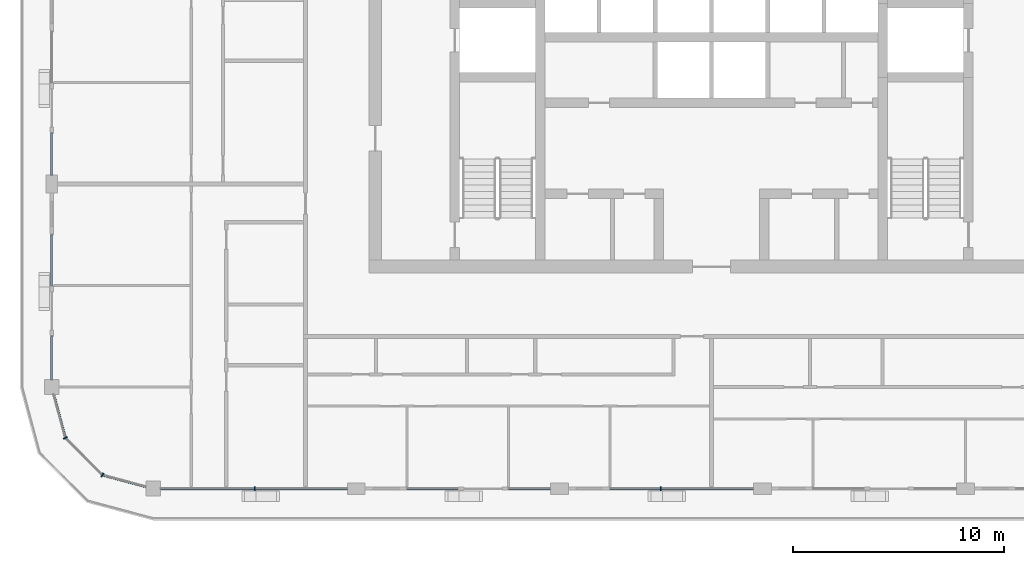
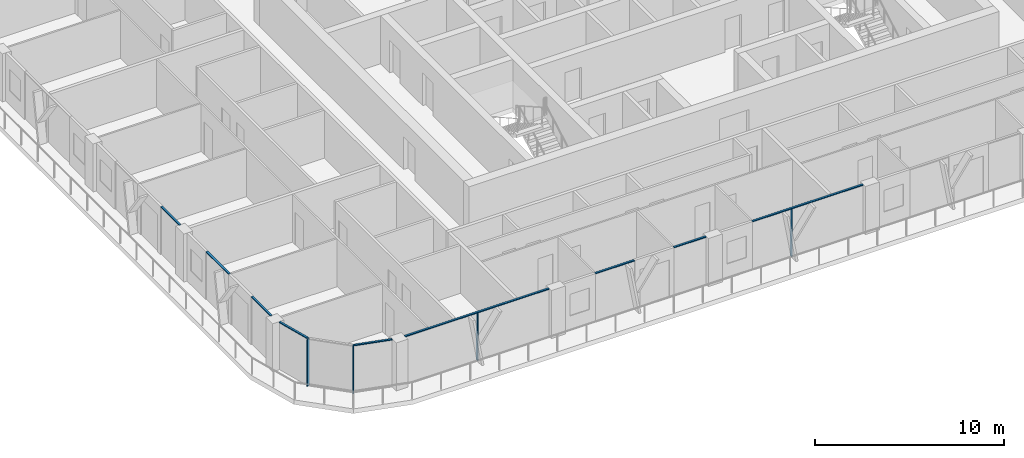
# One storey, part 2 of 22: 13 members, 6 elements without a shape of their own.
"""IFC4 building model written with IfcOpenShell, lengths in metres."""

from ifc_helpers import new_model, si_unit, direction, frame, origin, origin_2d, place, context, subcontext, project, spatial, rectangle, extrude, material, layer, layer_set, material_profile, profile_set, type_object, element, aggregate, save


model = new_model("IFC4")

# Units and contexts
model_context = context("Model", 3, precision=1e-05, world=origin(), true_north=direction((0.0, 1.0)))
body_context = subcontext(model_context, "Body", "Model", "MODEL_VIEW")
ifc_project = project(units=[si_unit("LENGTHUNIT", "METRE"), si_unit("AREAUNIT", "SQUARE_METRE"), si_unit("VOLUMEUNIT", "CUBIC_METRE"), si_unit("PLANEANGLEUNIT", "RADIAN"), si_unit("MASSUNIT", "GRAM", prefix="KILO")], contexts=[model_context])

# Site, building, storey
site_placement = place(None, origin())
site = spatial("IfcSite", under=ifc_project, at=site_placement, CompositionType="ELEMENT")
building_placement = place(site_placement, origin())
building = spatial("IfcBuilding", under=site, at=building_placement, Name="Madar Terraces", CompositionType="ELEMENT")
storey_placement = place(building_placement, frame((0.0, 0.0, 259.699951171875)))
storey = spatial("IfcBuildingStorey", under=building, at=storey_placement, Name="L68", CompositionType="ELEMENT", Elevation=259.699951171875)

# Curtain wall, member
ifc_material_1 = material(Name="Glass, ceramic frit dark grey, with black aluminium frame", Category="aluminium")
ifc_layer = layer(ifc_material_1, 0.199951171875)
ifc_layer_set = layer_set([ifc_layer], Name="Facade curtain wall, fritted glass")
curtain_wall_type = type_object("IfcCurtainWallType", Name="Facade curtain wall, fritted glass", PredefinedType="NOTDEFINED", material=ifc_layer_set)
curtain_wall_1_placement = place(storey_placement, origin())
curtain_wall_1 = element("IfcCurtainWall", 1, at=curtain_wall_1_placement, inside=storey, type_object=curtain_wall_type, Name="Outer skin curtain wall south bay 1", PredefinedType="NOTDEFINED")
ifc_material_2 = material(Name="Aluminium, black anodised", Category="aluminium")
ifc_material_profile_1 = material_profile(ifc_material_2, rectangle(XDim=0.199951171875, YDim=0.06005859375, at=origin_2d()), Name="Facade mullion 60x200")
ifc_profile_set_1 = profile_set([ifc_material_profile_1], Name="Aluminium, black anodised")
member_type_1 = type_object("IfcMemberType", Name="Facade mullion 60x200", PredefinedType="MULLION", material=ifc_profile_set_1)
member_1_placement = place(storey_placement, frame((9.60009765625, 4.800048828125, 0.0), z_axis=(0.0, 0.0, 1.0), x_axis=(0.0, 1.0, 0.0)))
member_1 = element("IfcMember", 2, at=member_1_placement, type_object=member_type_1, Name="Mullion 1", PredefinedType="MULLION", context=body_context, shape_type="SweptSolid", body=[
    extrude(rectangle(XDim=0.199951171875, YDim=0.06005859375, at=origin_2d()), origin(), (0.0, 0.0, 1.0), 3.0400390625),
])

curtain_wall_2_placement = place(storey_placement, origin())
curtain_wall_2 = element("IfcCurtainWall", 3, at=curtain_wall_2_placement, inside=storey, type_object=curtain_wall_type, Name="Outer skin curtain wall south bay 3", PredefinedType="NOTDEFINED")
member_2_placement = place(storey_placement, frame((28.800048828125, 4.800048828125, 0.0), z_axis=(0.0, 0.0, 1.0), x_axis=(0.0, 1.0, 0.0)))
member_2 = element("IfcMember", 4, at=member_2_placement, type_object=member_type_1, Name="Mullion 1", PredefinedType="MULLION", context=body_context, shape_type="SweptSolid", body=[
    extrude(rectangle(XDim=0.199951171875, YDim=0.06005859375, at=origin_2d()), origin(), (0.0, 0.0, 1.0), 3.0400390625),
])

# Curtain wall, members
curtain_wall_3_placement = place(storey_placement, origin())
curtain_wall_3 = element("IfcCurtainWall", 5, at=curtain_wall_3_placement, inside=storey, type_object=curtain_wall_type, Name="Outer skin curtain wall south-west corner", PredefinedType="NOTDEFINED")
member_3_placement = place(storey_placement, frame((0.64306640625, 7.199951171875, 0.0), z_axis=(0.0, 0.0, 1.0), x_axis=(0.866025409797, 0.499999989586, 0.0)))
member_3 = element("IfcMember", 6, at=member_3_placement, type_object=member_type_1, Name="Mullion 1", PredefinedType="MULLION", context=body_context, shape_type="SweptSolid", body=[
    extrude(rectangle(XDim=0.199951171875, YDim=0.06005859375, at=origin_2d()), origin(), (0.0, 0.0, 1.0), 3.0400390625),
])
member_4_placement = place(storey_placement, frame((2.39990234375, 5.443115234375, 0.0), z_axis=(0.0, 0.0, 1.0), x_axis=(0.499999989586, 0.866025409797, 0.0)))
member_4 = element("IfcMember", 7, at=member_4_placement, type_object=member_type_1, Name="Mullion 2", PredefinedType="MULLION", context=body_context, shape_type="SweptSolid", body=[
    extrude(rectangle(XDim=0.199951171875, YDim=0.06005859375, at=origin_2d()), origin(), (0.0, 0.0, 1.0), 3.0400390625),
])

# Member
ifc_material_3 = material(Name="Aluminium, black anodised", Category="aluminium")
ifc_material_profile_2 = material_profile(ifc_material_3, rectangle(XDim=0.1201171875, YDim=0.06005859375, at=origin_2d()), Name="Facade transom 60x120")
ifc_profile_set_2 = profile_set([ifc_material_profile_2], Name="Aluminium, black anodised")
member_type_2 = type_object("IfcMemberType", Name="Facade transom 60x120", PredefinedType="USERDEFINED", material=ifc_profile_set_2)
member_5_placement = place(storey_placement, frame((5.14990234375, 4.800048828125, 3.070068359375), z_axis=(1.0, 0.0, 0.0), x_axis=(0.0, 1.0, 0.0)))
member_5 = element("IfcMember", 8, at=member_5_placement, type_object=member_type_2, Name="Transom 1", ObjectType="TRANSOM", PredefinedType="USERDEFINED", context=body_context, shape_type="SweptSolid", body=[
    extrude(rectangle(XDim=0.1201171875, YDim=0.06005859375, at=origin_2d()), origin(), (0.0, 0.0, 1.0), 8.8251953125),
])

aggregate(curtain_wall_1, [member_1, member_5])

# Curtain wall, members
curtain_wall_4_placement = place(storey_placement, origin())
curtain_wall_4 = element("IfcCurtainWall", 9, at=curtain_wall_4_placement, inside=storey, type_object=curtain_wall_type, Name="Outer skin curtain wall south bay 2", PredefinedType="NOTDEFINED")
member_6_placement = place(storey_placement, frame((16.800048828125, 4.800048828125, 3.070068359375), z_axis=(1.0, 0.0, 0.0), x_axis=(0.0, 1.0, 0.0)))
member_6 = element("IfcMember", 10, at=member_6_placement, type_object=member_type_2, Name="Transom 1", ObjectType="TRANSOM", PredefinedType="USERDEFINED", context=body_context, shape_type="SweptSolid", body=[
    extrude(rectangle(XDim=0.1201171875, YDim=0.06005859375, at=origin_2d()), origin(), (0.0, 0.0, 1.0), 2.39990234375),
])
member_7_placement = place(storey_placement, frame((21.60009765625, 4.800048828125, 3.070068359375), z_axis=(1.0, 0.0, 0.0), x_axis=(0.0, 1.0, 0.0)))
member_7 = element("IfcMember", 11, at=member_7_placement, type_object=member_type_2, Name="Transom 2", ObjectType="TRANSOM", PredefinedType="USERDEFINED", context=body_context, shape_type="SweptSolid", body=[
    extrude(rectangle(XDim=0.1201171875, YDim=0.06005859375, at=origin_2d()), origin(), (0.0, 0.0, 1.0), 1.974853515625),
])
aggregate(curtain_wall_4, [member_6, member_7])

# Member
member_8_placement = place(storey_placement, frame((26.39990234375, 4.800048828125, 3.070068359375), z_axis=(1.0, 0.0, 0.0), x_axis=(0.0, 1.0, 0.0)))
member_8 = element("IfcMember", 12, at=member_8_placement, type_object=member_type_2, Name="Transom 1", ObjectType="TRANSOM", PredefinedType="USERDEFINED", context=body_context, shape_type="SweptSolid", body=[
    extrude(rectangle(XDim=0.1201171875, YDim=0.06005859375, at=origin_2d()), origin(), (0.0, 0.0, 1.0), 6.775146484375),
])

aggregate(curtain_wall_2, [member_2, member_8])

# Curtain wall, member
curtain_wall_5_placement = place(storey_placement, origin())
curtain_wall_5 = element("IfcCurtainWall", 13, at=curtain_wall_5_placement, inside=storey, type_object=curtain_wall_type, Name="Outer skin curtain wall west bay 3", PredefinedType="NOTDEFINED")
member_9_placement = place(storey_placement, frame((0.0, 21.60009765625, 3.070068359375), z_axis=(0.0, -1.0, 0.0), x_axis=(1.0, 0.0, 0.0)))
member_9 = element("IfcMember", 14, at=member_9_placement, type_object=member_type_2, Name="Transom 2", ObjectType="TRANSOM", PredefinedType="USERDEFINED", context=body_context, shape_type="SweptSolid", body=[
    extrude(rectangle(XDim=0.1201171875, YDim=0.06005859375, at=origin_2d()), origin(), (0.0, 0.0, 1.0), 1.97509765625),
])
aggregate(curtain_wall_5, [member_9])

# Curtain wall, members
curtain_wall_6_placement = place(storey_placement, origin())
curtain_wall_6 = element("IfcCurtainWall", 15, at=curtain_wall_6_placement, inside=storey, type_object=curtain_wall_type, Name="Outer skin curtain wall west bay 4", PredefinedType="NOTDEFINED")
member_10_placement = place(storey_placement, frame((0.0, 16.800048828125, 3.070068359375), z_axis=(0.0, -1.0, 0.0), x_axis=(1.0, 0.0, 0.0)))
member_10 = element("IfcMember", 16, at=member_10_placement, type_object=member_type_2, Name="Transom 1", ObjectType="TRANSOM", PredefinedType="USERDEFINED", context=body_context, shape_type="SweptSolid", body=[
    extrude(rectangle(XDim=0.1201171875, YDim=0.06005859375, at=origin_2d()), origin(), (0.0, 0.0, 1.0), 2.400146484375),
])
member_11_placement = place(storey_placement, frame((0.0, 12.0, 3.070068359375), z_axis=(0.0, -1.0, 0.0), x_axis=(1.0, 0.0, 0.0)))
member_11 = element("IfcMember", 17, at=member_11_placement, type_object=member_type_2, Name="Transom 2", ObjectType="TRANSOM", PredefinedType="USERDEFINED", context=body_context, shape_type="SweptSolid", body=[
    extrude(rectangle(XDim=0.1201171875, YDim=0.06005859375, at=origin_2d()), origin(), (0.0, 0.0, 1.0), 2.050048828125),
])
aggregate(curtain_wall_6, [member_10, member_11])

# Member
member_12_placement = place(storey_placement, frame((0.09375, 9.25, 3.070068359375), z_axis=(0.258809963731, -0.965928259589, 0.0), x_axis=(0.965928259589, 0.258809963731, 0.0)))
member_12 = element("IfcMember", 18, at=member_12_placement, type_object=member_type_2, Name="Transom 1", ObjectType="TRANSOM", PredefinedType="USERDEFINED", context=body_context, shape_type="SweptSolid", body=[
    extrude(rectangle(XDim=0.1201171875, YDim=0.06005859375, at=origin_2d()), origin(), (0.0, 0.0, 1.0), 2.09228515625),
])

member_13_placement = place(storey_placement, frame((2.428955078125, 5.435302734375, 3.070068359375), z_axis=(0.965928259589, -0.258809963731, 0.0), x_axis=(0.258809963731, 0.965928259589, 0.0)))
member_13 = element("IfcMember", 19, at=member_13_placement, type_object=member_type_2, Name="Transom 3", ObjectType="TRANSOM", PredefinedType="USERDEFINED", context=body_context, shape_type="SweptSolid", body=[
    extrude(rectangle(XDim=0.1201171875, YDim=0.06005859375, at=origin_2d()), origin(), (0.0, 0.0, 1.0), 2.09228515625),
])

aggregate(curtain_wall_3, [member_3, member_12, member_4, member_13])

save(model, "model.ifc")
